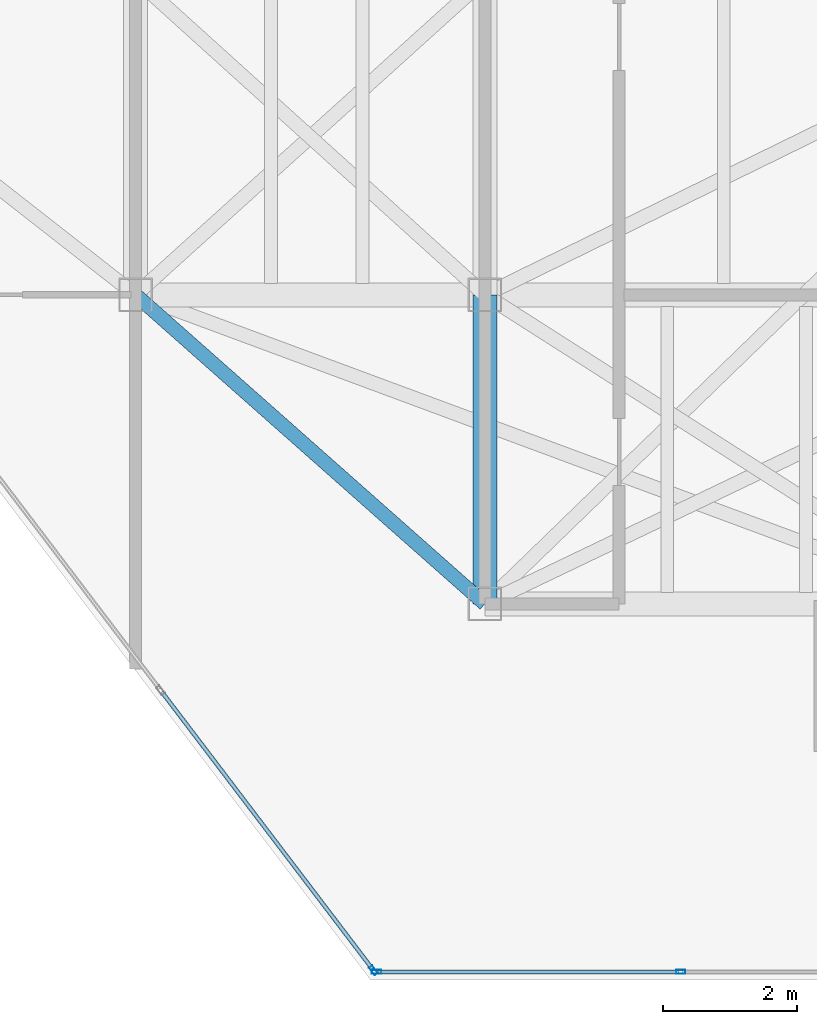
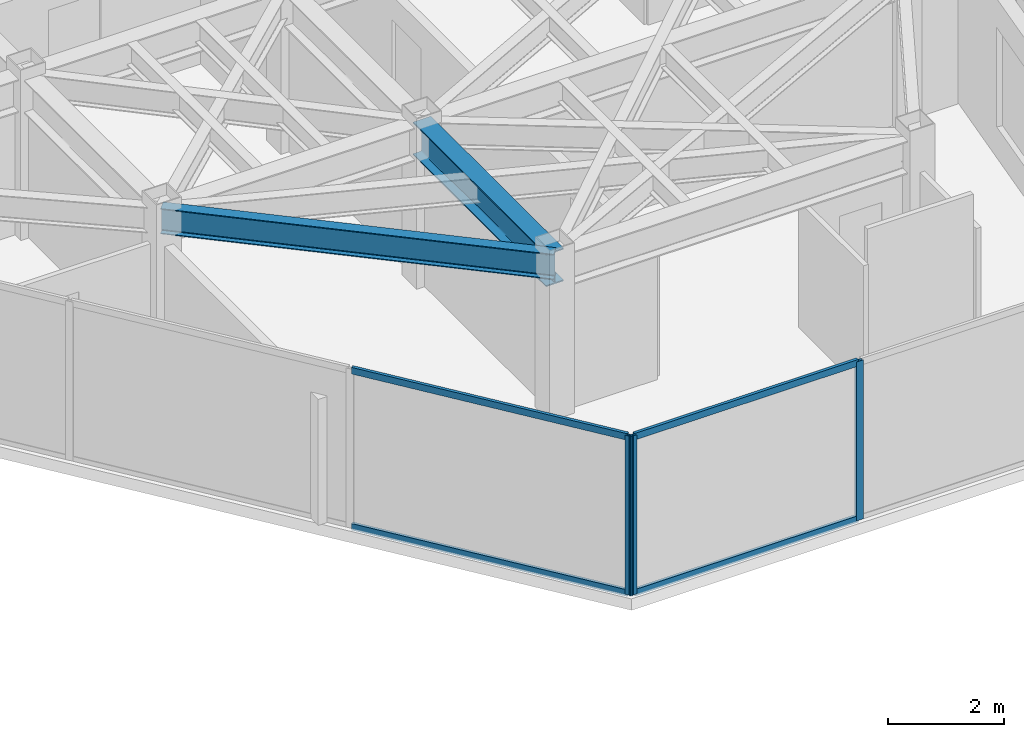
# One storey, part 12 of 20: 7 members, 2 beams, 2 elements without a shape of their own.
"""IFC4 building model written with IfcOpenShell, lengths in metres."""

from ifc_helpers import new_model, si_unit, direction, frame, origin, origin_2d, place, context, subcontext, project, spatial, hollow_rectangle, i_section, extrude, material, layer, layer_set, material_profile, profile_set, type_object, element, aggregate, save


model = new_model("IFC4")

# Units and contexts
model_context = context("Model", 3, precision=1e-05, world=origin(), true_north=direction((0.0, 1.0)))
body_context = subcontext(model_context, "Body", "Model", "MODEL_VIEW")
ifc_project = project(units=[si_unit("LENGTHUNIT", "METRE"), si_unit("AREAUNIT", "SQUARE_METRE"), si_unit("VOLUMEUNIT", "CUBIC_METRE"), si_unit("PLANEANGLEUNIT", "RADIAN"), si_unit("MASSUNIT", "GRAM", prefix="KILO")], contexts=[model_context])

# Site, building, storey
site_placement = place(None, origin())
site = spatial("IfcSite", under=ifc_project, at=site_placement, CompositionType="ELEMENT")
building_placement = place(site_placement, origin())
building = spatial("IfcBuilding", under=site, at=building_placement, Name="Kravanh Interchange Tower", CompositionType="ELEMENT")
storey_placement = place(building_placement, frame((0.0, 0.0, 238.199951171875)))
storey = spatial("IfcBuildingStorey", under=building, at=storey_placement, Name="L57", CompositionType="ELEMENT", Elevation=238.199951171875)

# Curtain wall, members
ifc_material_1 = material(Name="Anodised Bronze Aluminium", Category="aluminium")
ifc_layer = layer(ifc_material_1, 0.179931640625)
ifc_layer_set = layer_set([ifc_layer], Name="Unitised Curtain Wall System CW-HTL Luxury Hotel")
curtain_wall_type = type_object("IfcCurtainWallType", Name="Unitised Curtain Wall System CW-HTL Luxury Hotel", PredefinedType="NOTDEFINED", material=ifc_layer_set)
curtain_wall_1_placement = place(storey_placement, origin())
curtain_wall_1 = element("IfcCurtainWall", 1, at=curtain_wall_1_placement, inside=storey, type_object=curtain_wall_type, Name="L57 Unitised Curtain Wall CW-L57-03", PredefinedType="NOTDEFINED")
ifc_material_2 = material(Name="Anodised Bronze Aluminium", Category="aluminium")
ifc_material_profile_1 = material_profile(ifc_material_2, hollow_rectangle(XDim=0.06005859375, YDim=0.139892578125, WallThickness=0.00390625, at=origin_2d()), Name="ALU60X140X4")
ifc_profile_set_1 = profile_set([ifc_material_profile_1], Name="Anodised Bronze Aluminium")
member_type_1 = type_object("IfcMemberType", Name="Curtain Wall Mullion ALU60X140X4 Bronze", PredefinedType="MULLION", material=ifc_profile_set_1)
member_1_placement = place(storey_placement, frame((58.915771484375, 16.719970703125, 0.0), z_axis=(0.0, 0.0, 1.0), x_axis=(0.0, -1.0, 0.0)))
member_1 = element("IfcMember", 2, at=member_1_placement, type_object=member_type_1, Name="CW-HTL mullion 2", PredefinedType="MULLION", context=body_context, shape_type="SweptSolid", body=[
    extrude(hollow_rectangle(XDim=0.06005859375, YDim=0.139892578125, WallThickness=0.00390625, at=origin_2d()), origin(), (0.0, 0.0, 1.0), 3.360107421875),
])
member_2_placement = place(storey_placement, frame((54.389404296875, 16.719970703125, 0.0), z_axis=(0.0, 0.0, 1.0), x_axis=(0.0, -1.0, 0.0)))
member_2 = element("IfcMember", 3, at=member_2_placement, type_object=member_type_1, Name="CW-HTL mullion 3", PredefinedType="MULLION", context=body_context, shape_type="SweptSolid", body=[
    extrude(hollow_rectangle(XDim=0.06005859375, YDim=0.139892578125, WallThickness=0.00390625, at=origin_2d()), origin(), (0.0, 0.0, 1.0), 3.360107421875),
])

# Curtain wall, member
curtain_wall_2_placement = place(storey_placement, origin())
curtain_wall_2 = element("IfcCurtainWall", 4, at=curtain_wall_2_placement, inside=storey, type_object=curtain_wall_type, Name="L57 Unitised Curtain Wall CW-L57-04", PredefinedType="NOTDEFINED")
member_3_placement = place(storey_placement, frame((54.34130859375, 16.743896484375, 0.0), z_axis=(0.0, 0.0, 1.0), x_axis=(-0.79616243806, -0.605082946564, 0.0)))
member_3 = element("IfcMember", 5, at=member_3_placement, type_object=member_type_1, Name="CW-HTL mullion 1", PredefinedType="MULLION", context=body_context, shape_type="SweptSolid", body=[
    extrude(hollow_rectangle(XDim=0.06005859375, YDim=0.139892578125, WallThickness=0.00390625, at=origin_2d()), origin(), (0.0, 0.0, 1.0), 3.360107421875),
])

# Member
ifc_material_3 = material(Name="Anodised Bronze Aluminium", Category="aluminium")
ifc_material_profile_2 = material_profile(ifc_material_3, hollow_rectangle(XDim=0.06005859375, YDim=0.139892578125, WallThickness=0.00390625, at=origin_2d()), Name="ALU60X140X4")
ifc_profile_set_2 = profile_set([ifc_material_profile_2], Name="Anodised Bronze Aluminium")
member_type_2 = type_object("IfcMemberType", Name="Curtain Wall Transom ALU60X140X4 Bronze", PredefinedType="USERDEFINED", material=ifc_profile_set_2)
member_4_placement = place(storey_placement, frame((58.8857421875, 16.719970703125, 0.030029296875), z_axis=(-1.0, 0.0, 0.0), x_axis=(0.0, -1.0, 0.0)))
member_4 = element("IfcMember", 6, at=member_4_placement, type_object=member_type_2, Name="CW-HTL transom 2.1", ObjectType="TRANSOM", PredefinedType="USERDEFINED", context=body_context, shape_type="SweptSolid", body=[
    extrude(hollow_rectangle(XDim=0.06005859375, YDim=0.139892578125, WallThickness=0.00390625, at=origin_2d()), origin(), (0.0, 0.0, 1.0), 4.46630859375),
])

member_5_placement = place(storey_placement, frame((58.8857421875, 16.719970703125, 3.330078125), z_axis=(-1.0, 0.0, 0.0), x_axis=(0.0, -1.0, 0.0)))
member_5 = element("IfcMember", 7, at=member_5_placement, type_object=member_type_2, Name="CW-HTL transom 2.2", ObjectType="TRANSOM", PredefinedType="USERDEFINED", context=body_context, shape_type="SweptSolid", body=[
    extrude(hollow_rectangle(XDim=0.06005859375, YDim=0.139892578125, WallThickness=0.00390625, at=origin_2d()), origin(), (0.0, 0.0, 1.0), 4.46630859375),
])

aggregate(curtain_wall_1, [member_1, member_2, member_4, member_5])

member_6_placement = place(storey_placement, frame((54.3232421875, 16.767822265625, 0.030029296875), z_axis=(-0.605089246946, 0.796157649734, 0.0), x_axis=(-0.796157649734, -0.605089246946, 0.0)))
member_6 = element("IfcMember", 8, at=member_6_placement, type_object=member_type_2, Name="CW-HTL transom 1.1", ObjectType="TRANSOM", PredefinedType="USERDEFINED", context=body_context, shape_type="SweptSolid", body=[
    extrude(hollow_rectangle(XDim=0.06005859375, YDim=0.139892578125, WallThickness=0.00390625, at=origin_2d()), origin(), (0.0, 0.0, 1.0), 5.17626953125),
])

member_7_placement = place(storey_placement, frame((54.3232421875, 16.767822265625, 3.330078125), z_axis=(-0.605089246946, 0.796157649734, 0.0), x_axis=(-0.796157649734, -0.605089246946, 0.0)))
member_7 = element("IfcMember", 9, at=member_7_placement, type_object=member_type_2, Name="CW-HTL transom 1.2", ObjectType="TRANSOM", PredefinedType="USERDEFINED", context=body_context, shape_type="SweptSolid", body=[
    extrude(hollow_rectangle(XDim=0.06005859375, YDim=0.139892578125, WallThickness=0.00390625, at=origin_2d()), origin(), (0.0, 0.0, 1.0), 5.17626953125),
])

aggregate(curtain_wall_2, [member_3, member_6, member_7])

# Beams
ifc_material_4 = material(Name="Structural Steel S355", Category="steel")
ifc_material_profile_3 = material_profile(ifc_material_4, i_section(OverallWidth=0.35498046875, OverallDepth=0.696044921875, WebThickness=0.015380859375, FlangeThickness=0.02490234375, FilletRadius=0.02392578125, at=origin_2d()), Name="W27X146")
ifc_profile_set_3 = profile_set([ifc_material_profile_3], Name="Structural Steel S355")
beam_type_1 = type_object("IfcBeamType", Name="Floor Beam W27X146 Structural Steel S355", PredefinedType="BEAM", material=ifc_profile_set_3)
beam_1_placement = place(storey_placement, frame((56.0, 26.800048828125, 3.011962890625), z_axis=(0.0, -1.0, 0.0), x_axis=(1.0, 0.0, 0.0)))
element("IfcBeam", 10, at=beam_1_placement, inside=storey, type_object=beam_type_1, Name="L57 Primary Floor Girder 34", PredefinedType="BEAM", context=body_context, shape_type="SweptSolid", body=[
    extrude(i_section(OverallWidth=0.35498046875, OverallDepth=0.696044921875, WebThickness=0.015380859375, FlangeThickness=0.02490234375, FilletRadius=0.02392578125, at=origin_2d()), origin(), (0.0, 0.0, 1.0), 4.60009765625),
])
ifc_material_5 = material(Name="Structural Steel S355", Category="steel")
ifc_material_profile_4 = material_profile(ifc_material_5, i_section(OverallWidth=0.2099609375, OverallDepth=0.537109375, WebThickness=0.010986328125, FlangeThickness=0.017333984375, FilletRadius=0.02001953125, at=origin_2d()), Name="W21X68")
ifc_profile_set_4 = profile_set([ifc_material_profile_4], Name="Structural Steel S355")
beam_type_2 = type_object("IfcBeamType", Name="Floor Spandrel W21X68 Structural Steel S355", PredefinedType="SPANDREL", material=ifc_profile_set_4)
beam_2_placement = place(storey_placement, frame((50.800048828125, 26.800048828125, 3.091552734375), z_axis=(0.74898649432, -0.662585263439, 0.0), x_axis=(0.662585263439, 0.74898649432, 0.0)))
element("IfcBeam", 11, at=beam_2_placement, inside=storey, type_object=beam_type_2, Name="L57 Perimeter Spandrel 32", PredefinedType="SPANDREL", context=body_context, shape_type="SweptSolid", body=[
    extrude(i_section(OverallWidth=0.2099609375, OverallDepth=0.537109375, WebThickness=0.010986328125, FlangeThickness=0.017333984375, FilletRadius=0.02001953125, at=origin_2d()), origin(), (0.0, 0.0, 1.0), 6.942626953125),
])

save(model, "model.ifc")
